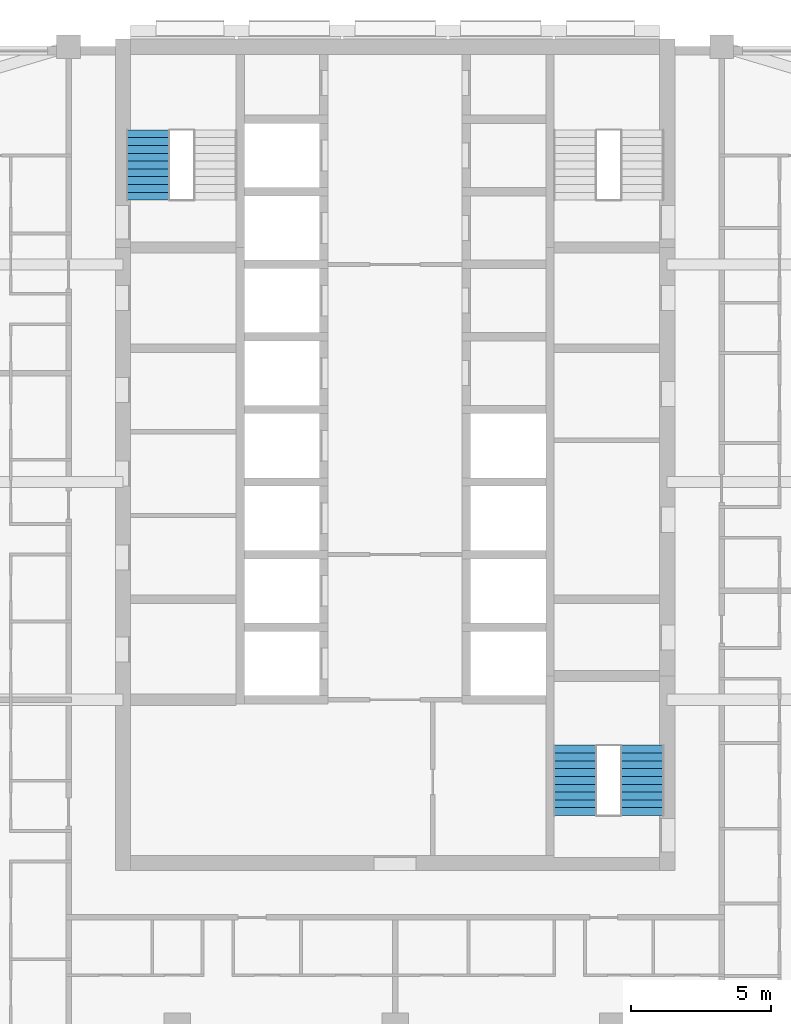
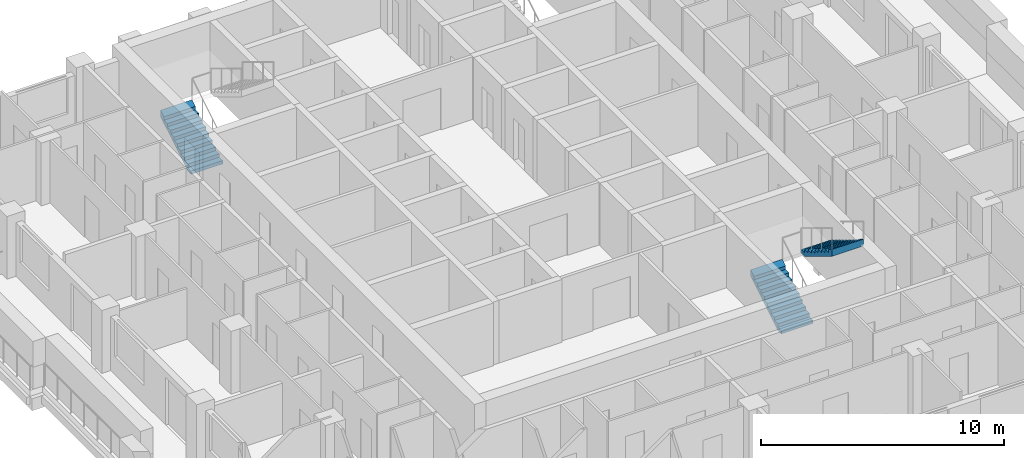
# One storey, part 10 of 13: 3 stair flights, 2 elements without a shape of their own.
"""IFC4 building model written with IfcOpenShell, lengths in metres."""

from ifc_helpers import new_model, si_unit, direction, frame, origin, place, context, subcontext, project, spatial, triangles, material, type_object, element, aggregate, save


model = new_model("IFC4")

# Units and contexts
model_context = context("Model", 3, precision=1e-05, world=origin(), true_north=direction((0.0, 1.0)))
body_context = subcontext(model_context, "Body", "Model", "MODEL_VIEW")
ifc_project = project(units=[si_unit("LENGTHUNIT", "METRE"), si_unit("AREAUNIT", "SQUARE_METRE"), si_unit("VOLUMEUNIT", "CUBIC_METRE"), si_unit("PLANEANGLEUNIT", "RADIAN"), si_unit("MASSUNIT", "GRAM", prefix="KILO")], contexts=[model_context])

# Site, building, storey
site_placement = place(None, origin())
site = spatial("IfcSite", under=ifc_project, at=site_placement, CompositionType="ELEMENT")
building_placement = place(site_placement, origin())
building = spatial("IfcBuilding", under=site, at=building_placement, Name="Ludao Terraces", CompositionType="ELEMENT")
storey_placement = place(building_placement, frame((0.0, 0.0, 123.699951171875)))
storey = spatial("IfcBuildingStorey", under=building, at=storey_placement, Name="L33", CompositionType="ELEMENT", Elevation=123.699951171875)

# Stair, stair flight
ifc_material = material(Name="Concrete C40", Category="concrete")
stair_type = type_object("IfcStairType", Name="INT Stair", PredefinedType="HALF_TURN_STAIR", material=ifc_material)
stair_1_placement = place(storey_placement, origin())
stair_1 = element("IfcStair", 1, at=stair_1_placement, inside=storey, type_object=stair_type, Name="EXIT STAIR 1", PredefinedType="HALF_TURN_STAIR")
stair_flight_type = type_object("IfcStairFlightType", Name="INT Stair flight", PredefinedType="STRAIGHT", material=ifc_material)
stair_flight_1_placement = place(storey_placement, frame((76.14990234375, 79.0, 0.0), z_axis=(0.0, 0.0, 1.0), x_axis=(0.0, 1.0, 0.0)))
stair_flight_1 = element("IfcStairFlight", 2, at=stair_flight_1_placement, type_object=stair_flight_type, Name="ST1 flight 1", NumberOfRisers=10, NumberOfTreads=9, PredefinedType="STRAIGHT", RiserHeight=0.17, TreadLength=0.28, context=body_context, shape_type="Tessellation", body=[
    triangles([(0.0, -0.75, 0.0), (0.0, -0.5, 0.0), (0.0, -0.25, 0.0), (0.0, 0.0, 0.0), (0.0, 0.25, 0.0), (0.0, 0.5, 0.0), (0.0, 0.75, 0.0), (0.0, -0.75, 0.169921875), (0.0, -0.5, 0.169921875), (0.0, -0.25, 0.169921875), (0.0, 0.0, 0.169921875), (0.0, 0.25, 0.169921875), (0.0, 0.5, 0.169921875), (0.0, 0.75, 0.169921875), (0.280029296875, -0.75, 0.169921875), (0.280029296875, -0.5, 0.169921875), (0.280029296875, -0.25, 0.169921875), (0.280029296875, 0.0, 0.169921875), (0.280029296875, 0.25, 0.169921875), (0.280029296875, 0.5, 0.169921875), (0.280029296875, 0.75, 0.169921875), (0.280029296875, -0.75, 0.340087890625), (0.280029296875, -0.5, 0.340087890625), (0.280029296875, -0.25, 0.340087890625), (0.280029296875, 0.0, 0.340087890625), (0.280029296875, 0.25, 0.340087890625), (0.280029296875, 0.5, 0.340087890625), (0.280029296875, 0.75, 0.340087890625), (0.56005859375, -0.75, 0.340087890625), (0.56005859375, -0.5, 0.340087890625), (0.56005859375, -0.25, 0.340087890625), (0.56005859375, 0.0, 0.340087890625), (0.56005859375, 0.25, 0.340087890625), (0.56005859375, 0.5, 0.340087890625), (0.56005859375, 0.75, 0.340087890625), (0.56005859375, -0.75, 0.510009765625), (0.56005859375, -0.5, 0.510009765625), (0.56005859375, -0.25, 0.510009765625), (0.56005859375, 0.0, 0.510009765625), (0.56005859375, 0.25, 0.510009765625), (0.56005859375, 0.5, 0.510009765625), (0.56005859375, 0.75, 0.510009765625), (0.840087890625, -0.75, 0.510009765625), (0.840087890625, -0.5, 0.510009765625), (0.840087890625, -0.25, 0.510009765625), (0.840087890625, 0.0, 0.510009765625), (0.840087890625, 0.25, 0.510009765625), (0.840087890625, 0.5, 0.510009765625), (0.840087890625, 0.75, 0.510009765625), (0.840087890625, -0.75, 0.679931640625), (0.840087890625, -0.5, 0.679931640625), (0.840087890625, -0.25, 0.679931640625), (0.840087890625, 0.0, 0.679931640625), (0.840087890625, 0.25, 0.679931640625), (0.840087890625, 0.5, 0.679931640625), (0.840087890625, 0.75, 0.679931640625), (1.1201171875, -0.75, 0.679931640625), (1.1201171875, -0.5, 0.679931640625), (1.1201171875, -0.25, 0.679931640625), (1.1201171875, 0.0, 0.679931640625), (1.1201171875, 0.25, 0.679931640625), (1.1201171875, 0.5, 0.679931640625), (1.1201171875, 0.75, 0.679931640625), (1.1201171875, -0.75, 0.85009765625), (1.1201171875, -0.5, 0.85009765625), (1.1201171875, -0.25, 0.85009765625), (1.1201171875, 0.0, 0.85009765625), (1.1201171875, 0.25, 0.85009765625), (1.1201171875, 0.5, 0.85009765625), (1.1201171875, 0.75, 0.85009765625), (1.39990234375, -0.75, 0.85009765625), (1.39990234375, -0.5, 0.85009765625), (1.39990234375, -0.25, 0.85009765625), (1.39990234375, 0.0, 0.85009765625), (1.39990234375, 0.25, 0.85009765625), (1.39990234375, 0.5, 0.85009765625), (1.39990234375, 0.75, 0.85009765625), (1.39990234375, -0.75, 1.02001953125), (1.39990234375, -0.5, 1.02001953125), (1.39990234375, -0.25, 1.02001953125), (1.39990234375, 0.0, 1.02001953125), (1.39990234375, 0.25, 1.02001953125), (1.39990234375, 0.5, 1.02001953125), (1.39990234375, 0.75, 1.02001953125), (1.679931640625, -0.75, 1.02001953125), (1.679931640625, -0.5, 1.02001953125), (1.679931640625, -0.25, 1.02001953125), (1.679931640625, 0.0, 1.02001953125), (1.679931640625, 0.25, 1.02001953125), (1.679931640625, 0.5, 1.02001953125), (1.679931640625, 0.75, 1.02001953125), (1.679931640625, -0.75, 1.18994140625), (1.679931640625, -0.5, 1.18994140625), (1.679931640625, -0.25, 1.18994140625), (1.679931640625, 0.0, 1.18994140625), (1.679931640625, 0.25, 1.18994140625), (1.679931640625, 0.5, 1.18994140625), (1.679931640625, 0.75, 1.18994140625), (1.9599609375, -0.75, 1.18994140625), (1.9599609375, -0.5, 1.18994140625), (1.9599609375, -0.25, 1.18994140625), (1.9599609375, 0.0, 1.18994140625), (1.9599609375, 0.25, 1.18994140625), (1.9599609375, 0.5, 1.18994140625), (1.9599609375, 0.75, 1.18994140625), (1.9599609375, -0.75, 1.360107421875), (1.9599609375, -0.5, 1.360107421875), (1.9599609375, -0.25, 1.360107421875), (1.9599609375, 0.0, 1.360107421875), (1.9599609375, 0.25, 1.360107421875), (1.9599609375, 0.5, 1.360107421875), (1.9599609375, 0.75, 1.360107421875), (2.239990234375, -0.75, 1.360107421875), (2.239990234375, -0.5, 1.360107421875), (2.239990234375, -0.25, 1.360107421875), (2.239990234375, 0.0, 1.360107421875), (2.239990234375, 0.25, 1.360107421875), (2.239990234375, 0.5, 1.360107421875), (2.239990234375, 0.75, 1.360107421875), (2.239990234375, -0.75, 1.530029296875), (2.239990234375, -0.5, 1.530029296875), (2.239990234375, -0.25, 1.530029296875), (2.239990234375, 0.0, 1.530029296875), (2.239990234375, 0.25, 1.530029296875), (2.239990234375, 0.5, 1.530029296875), (2.239990234375, 0.75, 1.530029296875), (2.52001953125, -0.75, 1.699951171875), (2.52001953125, -0.5, 1.699951171875), (2.52001953125, -0.25, 1.699951171875), (2.52001953125, 0.0, 1.699951171875), (2.52001953125, 0.25, 1.699951171875), (2.52001953125, 0.5, 1.699951171875), (2.52001953125, 0.75, 1.699951171875), (2.52001953125, -0.75, 1.354736328125), (2.52001953125, -0.5, 1.354736328125), (2.52001953125, -0.25, 1.354736328125), (2.52001953125, 0.0, 1.354736328125), (2.52001953125, 0.25, 1.354736328125), (2.52001953125, 0.5, 1.354736328125), (2.52001953125, 0.75, 1.354736328125), (0.288818359375, -0.75, 0.0), (0.288818359375, -0.5, 0.0), (0.288818359375, -0.25, 0.0), (0.288818359375, 0.0, 0.0), (0.288818359375, 0.25, 0.0), (0.288818359375, 0.5, 0.0), (0.288818359375, 0.75, 0.0)], [[1, 141, 134], [7, 140, 147], [134, 127, 120], [140, 126, 133], [134, 120, 113], [140, 119, 126], [134, 113, 106], [140, 112, 119], [134, 106, 99], [140, 105, 112], [99, 92, 85], [105, 91, 98], [134, 99, 85], [140, 91, 105], [85, 78, 71], [91, 77, 84], [134, 85, 71], [140, 77, 91], [71, 64, 57], [77, 63, 70], [134, 71, 57], [140, 63, 77], [57, 50, 43], [63, 49, 56], [134, 57, 43], [140, 49, 63], [43, 36, 29], [49, 35, 42], [134, 43, 29], [140, 35, 49], [29, 22, 15], [35, 21, 28], [134, 29, 15], [140, 21, 35], [1, 134, 15], [7, 21, 140], [15, 8, 1], [21, 7, 14], [1, 9, 2], [1, 8, 9], [2, 10, 3], [2, 9, 10], [3, 11, 4], [3, 10, 11], [4, 12, 5], [4, 11, 12], [5, 13, 6], [5, 12, 13], [6, 14, 7], [6, 13, 14], [8, 16, 9], [8, 15, 16], [9, 17, 10], [9, 16, 17], [10, 18, 11], [10, 17, 18], [11, 19, 12], [11, 18, 19], [12, 20, 13], [12, 19, 20], [13, 21, 14], [13, 20, 21], [15, 23, 16], [15, 22, 23], [16, 24, 17], [16, 23, 24], [17, 25, 18], [17, 24, 25], [18, 26, 19], [18, 25, 26], [19, 27, 20], [19, 26, 27], [20, 28, 21], [20, 27, 28], [22, 30, 23], [22, 29, 30], [23, 31, 24], [23, 30, 31], [24, 32, 25], [24, 31, 32], [25, 33, 26], [25, 32, 33], [26, 34, 27], [26, 33, 34], [27, 35, 28], [27, 34, 35], [29, 37, 30], [29, 36, 37], [30, 38, 31], [30, 37, 38], [31, 39, 32], [31, 38, 39], [32, 40, 33], [32, 39, 40], [33, 41, 34], [33, 40, 41], [34, 42, 35], [34, 41, 42], [36, 44, 37], [36, 43, 44], [37, 45, 38], [37, 44, 45], [38, 46, 39], [38, 45, 46], [39, 47, 40], [39, 46, 47], [40, 48, 41], [40, 47, 48], [41, 49, 42], [41, 48, 49], [43, 51, 44], [43, 50, 51], [44, 52, 45], [44, 51, 52], [45, 53, 46], [45, 52, 53], [46, 54, 47], [46, 53, 54], [47, 55, 48], [47, 54, 55], [48, 56, 49], [48, 55, 56], [50, 58, 51], [50, 57, 58], [51, 59, 52], [51, 58, 59], [52, 60, 53], [52, 59, 60], [53, 61, 54], [53, 60, 61], [54, 62, 55], [54, 61, 62], [55, 63, 56], [55, 62, 63], [57, 65, 58], [57, 64, 65], [58, 66, 59], [58, 65, 66], [59, 67, 60], [59, 66, 67], [60, 68, 61], [60, 67, 68], [61, 69, 62], [61, 68, 69], [62, 70, 63], [62, 69, 70], [64, 72, 65], [64, 71, 72], [65, 73, 66], [65, 72, 73], [66, 74, 67], [66, 73, 74], [67, 75, 68], [67, 74, 75], [68, 76, 69], [68, 75, 76], [69, 77, 70], [69, 76, 77], [71, 79, 72], [71, 78, 79], [72, 80, 73], [72, 79, 80], [73, 81, 74], [73, 80, 81], [74, 82, 75], [74, 81, 82], [75, 83, 76], [75, 82, 83], [76, 84, 77], [76, 83, 84], [78, 86, 79], [78, 85, 86], [79, 87, 80], [79, 86, 87], [80, 88, 81], [80, 87, 88], [81, 89, 82], [81, 88, 89], [82, 90, 83], [82, 89, 90], [83, 91, 84], [83, 90, 91], [85, 93, 86], [85, 92, 93], [86, 94, 87], [86, 93, 94], [87, 95, 88], [87, 94, 95], [88, 96, 89], [88, 95, 96], [89, 97, 90], [89, 96, 97], [90, 98, 91], [90, 97, 98], [92, 100, 93], [92, 99, 100], [93, 101, 94], [93, 100, 101], [94, 102, 95], [94, 101, 102], [95, 103, 96], [95, 102, 103], [96, 104, 97], [96, 103, 104], [97, 105, 98], [97, 104, 105], [99, 107, 100], [99, 106, 107], [100, 108, 101], [100, 107, 108], [101, 109, 102], [101, 108, 109], [102, 110, 103], [102, 109, 110], [103, 111, 104], [103, 110, 111], [104, 112, 105], [104, 111, 112], [106, 114, 107], [106, 113, 114], [107, 115, 108], [107, 114, 115], [108, 116, 109], [108, 115, 116], [109, 117, 110], [109, 116, 117], [110, 118, 111], [110, 117, 118], [111, 119, 112], [111, 118, 119], [113, 121, 114], [113, 120, 121], [114, 122, 115], [114, 121, 122], [115, 123, 116], [115, 122, 123], [116, 124, 117], [116, 123, 124], [117, 125, 118], [117, 124, 125], [118, 126, 119], [118, 125, 126], [120, 128, 121], [120, 127, 128], [121, 129, 122], [121, 128, 129], [122, 130, 123], [122, 129, 130], [123, 131, 124], [123, 130, 131], [124, 132, 125], [124, 131, 132], [125, 133, 126], [125, 132, 133], [127, 135, 128], [127, 134, 135], [128, 136, 129], [128, 135, 136], [129, 137, 130], [129, 136, 137], [130, 138, 131], [130, 137, 138], [131, 139, 132], [131, 138, 139], [132, 140, 133], [132, 139, 140], [134, 142, 135], [134, 141, 142], [135, 143, 136], [135, 142, 143], [136, 144, 137], [136, 143, 144], [137, 145, 138], [137, 144, 145], [138, 146, 139], [138, 145, 146], [139, 147, 140], [139, 146, 147], [141, 2, 142], [141, 1, 2], [142, 3, 143], [142, 2, 3], [143, 4, 144], [143, 3, 4], [144, 5, 145], [144, 4, 5], [145, 6, 146], [145, 5, 6], [146, 7, 147], [146, 6, 7]], closed=True),
])
aggregate(stair_1, [stair_flight_1])

# Stair, stair flights
stair_2_placement = place(storey_placement, origin())
stair_2 = element("IfcStair", 3, at=stair_2_placement, inside=storey, type_object=stair_type, Name="EXIT STAIR 3", PredefinedType="HALF_TURN_STAIR")
stair_flight_2_placement = place(storey_placement, frame((91.449951171875, 56.949951171875, 0.0), z_axis=(0.0, 0.0, 1.0), x_axis=(0.0, 1.0, 0.0)))
stair_flight_2 = element("IfcStairFlight", 4, at=stair_flight_2_placement, type_object=stair_flight_type, Name="ST3 flight 1", NumberOfRisers=10, NumberOfTreads=9, PredefinedType="STRAIGHT", RiserHeight=0.17, TreadLength=0.28, context=body_context, shape_type="Tessellation", body=[
    triangles([(0.0, -0.75, 0.0), (0.0, -0.5, 0.0), (0.0, -0.25, 0.0), (0.0, 0.0, 0.0), (0.0, 0.25, 0.0), (0.0, 0.5, 0.0), (0.0, 0.75, 0.0), (0.0, -0.75, 0.169921875), (0.0, -0.5, 0.169921875), (0.0, -0.25, 0.169921875), (0.0, 0.0, 0.169921875), (0.0, 0.25, 0.169921875), (0.0, 0.5, 0.169921875), (0.0, 0.75, 0.169921875), (0.280029296875, -0.75, 0.169921875), (0.280029296875, -0.5, 0.169921875), (0.280029296875, -0.25, 0.169921875), (0.280029296875, 0.0, 0.169921875), (0.280029296875, 0.25, 0.169921875), (0.280029296875, 0.5, 0.169921875), (0.280029296875, 0.75, 0.169921875), (0.280029296875, -0.75, 0.340087890625), (0.280029296875, -0.5, 0.340087890625), (0.280029296875, -0.25, 0.340087890625), (0.280029296875, 0.0, 0.340087890625), (0.280029296875, 0.25, 0.340087890625), (0.280029296875, 0.5, 0.340087890625), (0.280029296875, 0.75, 0.340087890625), (0.56005859375, -0.75, 0.340087890625), (0.56005859375, -0.5, 0.340087890625), (0.56005859375, -0.25, 0.340087890625), (0.56005859375, 0.0, 0.340087890625), (0.56005859375, 0.25, 0.340087890625), (0.56005859375, 0.5, 0.340087890625), (0.56005859375, 0.75, 0.340087890625), (0.56005859375, -0.75, 0.510009765625), (0.56005859375, -0.5, 0.510009765625), (0.56005859375, -0.25, 0.510009765625), (0.56005859375, 0.0, 0.510009765625), (0.56005859375, 0.25, 0.510009765625), (0.56005859375, 0.5, 0.510009765625), (0.56005859375, 0.75, 0.510009765625), (0.840087890625, -0.75, 0.510009765625), (0.840087890625, -0.5, 0.510009765625), (0.840087890625, -0.25, 0.510009765625), (0.840087890625, 0.0, 0.510009765625), (0.840087890625, 0.25, 0.510009765625), (0.840087890625, 0.5, 0.510009765625), (0.840087890625, 0.75, 0.510009765625), (0.840087890625, -0.75, 0.679931640625), (0.840087890625, -0.5, 0.679931640625), (0.840087890625, -0.25, 0.679931640625), (0.840087890625, 0.0, 0.679931640625), (0.840087890625, 0.25, 0.679931640625), (0.840087890625, 0.5, 0.679931640625), (0.840087890625, 0.75, 0.679931640625), (1.1201171875, -0.75, 0.679931640625), (1.1201171875, -0.5, 0.679931640625), (1.1201171875, -0.25, 0.679931640625), (1.1201171875, 0.0, 0.679931640625), (1.1201171875, 0.25, 0.679931640625), (1.1201171875, 0.5, 0.679931640625), (1.1201171875, 0.75, 0.679931640625), (1.1201171875, -0.75, 0.85009765625), (1.1201171875, -0.5, 0.85009765625), (1.1201171875, -0.25, 0.85009765625), (1.1201171875, 0.0, 0.85009765625), (1.1201171875, 0.25, 0.85009765625), (1.1201171875, 0.5, 0.85009765625), (1.1201171875, 0.75, 0.85009765625), (1.39990234375, -0.75, 0.85009765625), (1.39990234375, -0.5, 0.85009765625), (1.39990234375, -0.25, 0.85009765625), (1.39990234375, 0.0, 0.85009765625), (1.39990234375, 0.25, 0.85009765625), (1.39990234375, 0.5, 0.85009765625), (1.39990234375, 0.75, 0.85009765625), (1.39990234375, -0.75, 1.02001953125), (1.39990234375, -0.5, 1.02001953125), (1.39990234375, -0.25, 1.02001953125), (1.39990234375, 0.0, 1.02001953125), (1.39990234375, 0.25, 1.02001953125), (1.39990234375, 0.5, 1.02001953125), (1.39990234375, 0.75, 1.02001953125), (1.679931640625, -0.75, 1.02001953125), (1.679931640625, -0.5, 1.02001953125), (1.679931640625, -0.25, 1.02001953125), (1.679931640625, 0.0, 1.02001953125), (1.679931640625, 0.25, 1.02001953125), (1.679931640625, 0.5, 1.02001953125), (1.679931640625, 0.75, 1.02001953125), (1.679931640625, -0.75, 1.18994140625), (1.679931640625, -0.5, 1.18994140625), (1.679931640625, -0.25, 1.18994140625), (1.679931640625, 0.0, 1.18994140625), (1.679931640625, 0.25, 1.18994140625), (1.679931640625, 0.5, 1.18994140625), (1.679931640625, 0.75, 1.18994140625), (1.9599609375, -0.75, 1.18994140625), (1.9599609375, -0.5, 1.18994140625), (1.9599609375, -0.25, 1.18994140625), (1.9599609375, 0.0, 1.18994140625), (1.9599609375, 0.25, 1.18994140625), (1.9599609375, 0.5, 1.18994140625), (1.9599609375, 0.75, 1.18994140625), (1.9599609375, -0.75, 1.360107421875), (1.9599609375, -0.5, 1.360107421875), (1.9599609375, -0.25, 1.360107421875), (1.9599609375, 0.0, 1.360107421875), (1.9599609375, 0.25, 1.360107421875), (1.9599609375, 0.5, 1.360107421875), (1.9599609375, 0.75, 1.360107421875), (2.239990234375, -0.75, 1.360107421875), (2.239990234375, -0.5, 1.360107421875), (2.239990234375, -0.25, 1.360107421875), (2.239990234375, 0.0, 1.360107421875), (2.239990234375, 0.25, 1.360107421875), (2.239990234375, 0.5, 1.360107421875), (2.239990234375, 0.75, 1.360107421875), (2.239990234375, -0.75, 1.530029296875), (2.239990234375, -0.5, 1.530029296875), (2.239990234375, -0.25, 1.530029296875), (2.239990234375, 0.0, 1.530029296875), (2.239990234375, 0.25, 1.530029296875), (2.239990234375, 0.5, 1.530029296875), (2.239990234375, 0.75, 1.530029296875), (2.52001953125, -0.75, 1.699951171875), (2.52001953125, -0.5, 1.699951171875), (2.52001953125, -0.25, 1.699951171875), (2.52001953125, 0.0, 1.699951171875), (2.52001953125, 0.25, 1.699951171875), (2.52001953125, 0.5, 1.699951171875), (2.52001953125, 0.75, 1.699951171875), (2.52001953125, -0.75, 1.354736328125), (2.52001953125, -0.5, 1.354736328125), (2.52001953125, -0.25, 1.354736328125), (2.52001953125, 0.0, 1.354736328125), (2.52001953125, 0.25, 1.354736328125), (2.52001953125, 0.5, 1.354736328125), (2.52001953125, 0.75, 1.354736328125), (0.288818359375, -0.75, 0.0), (0.288818359375, -0.5, 0.0), (0.288818359375, -0.25, 0.0), (0.288818359375, 0.0, 0.0), (0.288818359375, 0.25, 0.0), (0.288818359375, 0.5, 0.0), (0.288818359375, 0.75, 0.0)], [[1, 141, 134], [7, 140, 147], [134, 127, 120], [140, 126, 133], [134, 120, 113], [140, 119, 126], [134, 113, 106], [140, 112, 119], [134, 106, 99], [140, 105, 112], [99, 92, 85], [105, 91, 98], [134, 99, 85], [140, 91, 105], [85, 78, 71], [91, 77, 84], [134, 85, 71], [140, 77, 91], [71, 64, 57], [77, 63, 70], [134, 71, 57], [140, 63, 77], [57, 50, 43], [63, 49, 56], [134, 57, 43], [140, 49, 63], [43, 36, 29], [49, 35, 42], [134, 43, 29], [140, 35, 49], [29, 22, 15], [35, 21, 28], [134, 29, 15], [140, 21, 35], [1, 134, 15], [7, 21, 140], [15, 8, 1], [21, 7, 14], [1, 9, 2], [1, 8, 9], [2, 10, 3], [2, 9, 10], [3, 11, 4], [3, 10, 11], [4, 12, 5], [4, 11, 12], [5, 13, 6], [5, 12, 13], [6, 14, 7], [6, 13, 14], [8, 16, 9], [8, 15, 16], [9, 17, 10], [9, 16, 17], [10, 18, 11], [10, 17, 18], [11, 19, 12], [11, 18, 19], [12, 20, 13], [12, 19, 20], [13, 21, 14], [13, 20, 21], [15, 23, 16], [15, 22, 23], [16, 24, 17], [16, 23, 24], [17, 25, 18], [17, 24, 25], [18, 26, 19], [18, 25, 26], [19, 27, 20], [19, 26, 27], [20, 28, 21], [20, 27, 28], [22, 30, 23], [22, 29, 30], [23, 31, 24], [23, 30, 31], [24, 32, 25], [24, 31, 32], [25, 33, 26], [25, 32, 33], [26, 34, 27], [26, 33, 34], [27, 35, 28], [27, 34, 35], [29, 37, 30], [29, 36, 37], [30, 38, 31], [30, 37, 38], [31, 39, 32], [31, 38, 39], [32, 40, 33], [32, 39, 40], [33, 41, 34], [33, 40, 41], [34, 42, 35], [34, 41, 42], [36, 44, 37], [36, 43, 44], [37, 45, 38], [37, 44, 45], [38, 46, 39], [38, 45, 46], [39, 47, 40], [39, 46, 47], [40, 48, 41], [40, 47, 48], [41, 49, 42], [41, 48, 49], [43, 51, 44], [43, 50, 51], [44, 52, 45], [44, 51, 52], [45, 53, 46], [45, 52, 53], [46, 54, 47], [46, 53, 54], [47, 55, 48], [47, 54, 55], [48, 56, 49], [48, 55, 56], [50, 58, 51], [50, 57, 58], [51, 59, 52], [51, 58, 59], [52, 60, 53], [52, 59, 60], [53, 61, 54], [53, 60, 61], [54, 62, 55], [54, 61, 62], [55, 63, 56], [55, 62, 63], [57, 65, 58], [57, 64, 65], [58, 66, 59], [58, 65, 66], [59, 67, 60], [59, 66, 67], [60, 68, 61], [60, 67, 68], [61, 69, 62], [61, 68, 69], [62, 70, 63], [62, 69, 70], [64, 72, 65], [64, 71, 72], [65, 73, 66], [65, 72, 73], [66, 74, 67], [66, 73, 74], [67, 75, 68], [67, 74, 75], [68, 76, 69], [68, 75, 76], [69, 77, 70], [69, 76, 77], [71, 79, 72], [71, 78, 79], [72, 80, 73], [72, 79, 80], [73, 81, 74], [73, 80, 81], [74, 82, 75], [74, 81, 82], [75, 83, 76], [75, 82, 83], [76, 84, 77], [76, 83, 84], [78, 86, 79], [78, 85, 86], [79, 87, 80], [79, 86, 87], [80, 88, 81], [80, 87, 88], [81, 89, 82], [81, 88, 89], [82, 90, 83], [82, 89, 90], [83, 91, 84], [83, 90, 91], [85, 93, 86], [85, 92, 93], [86, 94, 87], [86, 93, 94], [87, 95, 88], [87, 94, 95], [88, 96, 89], [88, 95, 96], [89, 97, 90], [89, 96, 97], [90, 98, 91], [90, 97, 98], [92, 100, 93], [92, 99, 100], [93, 101, 94], [93, 100, 101], [94, 102, 95], [94, 101, 102], [95, 103, 96], [95, 102, 103], [96, 104, 97], [96, 103, 104], [97, 105, 98], [97, 104, 105], [99, 107, 100], [99, 106, 107], [100, 108, 101], [100, 107, 108], [101, 109, 102], [101, 108, 109], [102, 110, 103], [102, 109, 110], [103, 111, 104], [103, 110, 111], [104, 112, 105], [104, 111, 112], [106, 114, 107], [106, 113, 114], [107, 115, 108], [107, 114, 115], [108, 116, 109], [108, 115, 116], [109, 117, 110], [109, 116, 117], [110, 118, 111], [110, 117, 118], [111, 119, 112], [111, 118, 119], [113, 121, 114], [113, 120, 121], [114, 122, 115], [114, 121, 122], [115, 123, 116], [115, 122, 123], [116, 124, 117], [116, 123, 124], [117, 125, 118], [117, 124, 125], [118, 126, 119], [118, 125, 126], [120, 128, 121], [120, 127, 128], [121, 129, 122], [121, 128, 129], [122, 130, 123], [122, 129, 130], [123, 131, 124], [123, 130, 131], [124, 132, 125], [124, 131, 132], [125, 133, 126], [125, 132, 133], [127, 135, 128], [127, 134, 135], [128, 136, 129], [128, 135, 136], [129, 137, 130], [129, 136, 137], [130, 138, 131], [130, 137, 138], [131, 139, 132], [131, 138, 139], [132, 140, 133], [132, 139, 140], [134, 142, 135], [134, 141, 142], [135, 143, 136], [135, 142, 143], [136, 144, 137], [136, 143, 144], [137, 145, 138], [137, 144, 145], [138, 146, 139], [138, 145, 146], [139, 147, 140], [139, 146, 147], [141, 2, 142], [141, 1, 2], [142, 3, 143], [142, 2, 3], [143, 4, 144], [143, 3, 4], [144, 5, 145], [144, 4, 5], [145, 6, 146], [145, 5, 6], [146, 7, 147], [146, 6, 7]], closed=True),
])
stair_flight_3_placement = place(storey_placement, frame((93.85009765625, 59.469970703125, 1.699951171875), z_axis=(0.0, 0.0, 1.0), x_axis=(0.0, -1.0, 0.0)))
stair_flight_3 = element("IfcStairFlight", 5, at=stair_flight_3_placement, type_object=stair_flight_type, Name="ST3 flight 2", NumberOfRisers=10, NumberOfTreads=9, PredefinedType="STRAIGHT", RiserHeight=0.17, TreadLength=0.28, context=body_context, shape_type="Tessellation", body=[
    triangles([(0.0, -0.75, 0.0), (0.0, -0.5, 0.0), (0.0, -0.25, 0.0), (0.0, 0.0, 0.0), (0.0, 0.25, 0.0), (0.0, 0.5, 0.0), (0.0, 0.75, 0.0), (0.0, -0.75, 0.169921875), (0.0, -0.5, 0.169921875), (0.0, -0.25, 0.169921875), (0.0, 0.0, 0.169921875), (0.0, 0.25, 0.169921875), (0.0, 0.5, 0.169921875), (0.0, 0.75, 0.169921875), (0.280029296875, -0.75, 0.169921875), (0.280029296875, -0.5, 0.169921875), (0.280029296875, -0.25, 0.169921875), (0.280029296875, 0.0, 0.169921875), (0.280029296875, 0.25, 0.169921875), (0.280029296875, 0.5, 0.169921875), (0.280029296875, 0.75, 0.169921875), (0.280029296875, -0.75, 0.340087890625), (0.280029296875, -0.5, 0.340087890625), (0.280029296875, -0.25, 0.340087890625), (0.280029296875, 0.0, 0.340087890625), (0.280029296875, 0.25, 0.340087890625), (0.280029296875, 0.5, 0.340087890625), (0.280029296875, 0.75, 0.340087890625), (0.56005859375, -0.75, 0.340087890625), (0.56005859375, -0.5, 0.340087890625), (0.56005859375, -0.25, 0.340087890625), (0.56005859375, 0.0, 0.340087890625), (0.56005859375, 0.25, 0.340087890625), (0.56005859375, 0.5, 0.340087890625), (0.56005859375, 0.75, 0.340087890625), (0.56005859375, -0.75, 0.510009765625), (0.56005859375, -0.5, 0.510009765625), (0.56005859375, -0.25, 0.510009765625), (0.56005859375, 0.0, 0.510009765625), (0.56005859375, 0.25, 0.510009765625), (0.56005859375, 0.5, 0.510009765625), (0.56005859375, 0.75, 0.510009765625), (0.840087890625, -0.75, 0.510009765625), (0.840087890625, -0.5, 0.510009765625), (0.840087890625, -0.25, 0.510009765625), (0.840087890625, 0.0, 0.510009765625), (0.840087890625, 0.25, 0.510009765625), (0.840087890625, 0.5, 0.510009765625), (0.840087890625, 0.75, 0.510009765625), (0.840087890625, -0.75, 0.679931640625), (0.840087890625, -0.5, 0.679931640625), (0.840087890625, -0.25, 0.679931640625), (0.840087890625, 0.0, 0.679931640625), (0.840087890625, 0.25, 0.679931640625), (0.840087890625, 0.5, 0.679931640625), (0.840087890625, 0.75, 0.679931640625), (1.1201171875, -0.75, 0.679931640625), (1.1201171875, -0.5, 0.679931640625), (1.1201171875, -0.25, 0.679931640625), (1.1201171875, 0.0, 0.679931640625), (1.1201171875, 0.25, 0.679931640625), (1.1201171875, 0.5, 0.679931640625), (1.1201171875, 0.75, 0.679931640625), (1.1201171875, -0.75, 0.85009765625), (1.1201171875, -0.5, 0.85009765625), (1.1201171875, -0.25, 0.85009765625), (1.1201171875, 0.0, 0.85009765625), (1.1201171875, 0.25, 0.85009765625), (1.1201171875, 0.5, 0.85009765625), (1.1201171875, 0.75, 0.85009765625), (1.39990234375, -0.75, 0.85009765625), (1.39990234375, -0.5, 0.85009765625), (1.39990234375, -0.25, 0.85009765625), (1.39990234375, 0.0, 0.85009765625), (1.39990234375, 0.25, 0.85009765625), (1.39990234375, 0.5, 0.85009765625), (1.39990234375, 0.75, 0.85009765625), (1.39990234375, -0.75, 1.02001953125), (1.39990234375, -0.5, 1.02001953125), (1.39990234375, -0.25, 1.02001953125), (1.39990234375, 0.0, 1.02001953125), (1.39990234375, 0.25, 1.02001953125), (1.39990234375, 0.5, 1.02001953125), (1.39990234375, 0.75, 1.02001953125), (1.679931640625, -0.75, 1.02001953125), (1.679931640625, -0.5, 1.02001953125), (1.679931640625, -0.25, 1.02001953125), (1.679931640625, 0.0, 1.02001953125), (1.679931640625, 0.25, 1.02001953125), (1.679931640625, 0.5, 1.02001953125), (1.679931640625, 0.75, 1.02001953125), (1.679931640625, -0.75, 1.18994140625), (1.679931640625, -0.5, 1.18994140625), (1.679931640625, -0.25, 1.18994140625), (1.679931640625, 0.0, 1.18994140625), (1.679931640625, 0.25, 1.18994140625), (1.679931640625, 0.5, 1.18994140625), (1.679931640625, 0.75, 1.18994140625), (1.9599609375, -0.75, 1.18994140625), (1.9599609375, -0.5, 1.18994140625), (1.9599609375, -0.25, 1.18994140625), (1.9599609375, 0.0, 1.18994140625), (1.9599609375, 0.25, 1.18994140625), (1.9599609375, 0.5, 1.18994140625), (1.9599609375, 0.75, 1.18994140625), (1.9599609375, -0.75, 1.360107421875), (1.9599609375, -0.5, 1.360107421875), (1.9599609375, -0.25, 1.360107421875), (1.9599609375, 0.0, 1.360107421875), (1.9599609375, 0.25, 1.360107421875), (1.9599609375, 0.5, 1.360107421875), (1.9599609375, 0.75, 1.360107421875), (2.239990234375, -0.75, 1.360107421875), (2.239990234375, -0.5, 1.360107421875), (2.239990234375, -0.25, 1.360107421875), (2.239990234375, 0.0, 1.360107421875), (2.239990234375, 0.25, 1.360107421875), (2.239990234375, 0.5, 1.360107421875), (2.239990234375, 0.75, 1.360107421875), (2.239990234375, -0.75, 1.530029296875), (2.239990234375, -0.5, 1.530029296875), (2.239990234375, -0.25, 1.530029296875), (2.239990234375, 0.0, 1.530029296875), (2.239990234375, 0.25, 1.530029296875), (2.239990234375, 0.5, 1.530029296875), (2.239990234375, 0.75, 1.530029296875), (2.52001953125, -0.75, 1.699951171875), (2.52001953125, -0.5, 1.699951171875), (2.52001953125, -0.25, 1.699951171875), (2.52001953125, 0.0, 1.699951171875), (2.52001953125, 0.25, 1.699951171875), (2.52001953125, 0.5, 1.699951171875), (2.52001953125, 0.75, 1.699951171875), (2.52001953125, -0.75, 1.354736328125), (2.52001953125, -0.5, 1.354736328125), (2.52001953125, -0.25, 1.354736328125), (2.52001953125, 0.0, 1.354736328125), (2.52001953125, 0.25, 1.354736328125), (2.52001953125, 0.5, 1.354736328125), (2.52001953125, 0.75, 1.354736328125), (0.288818359375, -0.75, 0.0), (0.288818359375, -0.5, 0.0), (0.288818359375, -0.25, 0.0), (0.288818359375, 0.0, 0.0), (0.288818359375, 0.25, 0.0), (0.288818359375, 0.5, 0.0), (0.288818359375, 0.75, 0.0)], [[1, 141, 134], [7, 140, 147], [134, 127, 120], [140, 126, 133], [134, 120, 113], [140, 119, 126], [134, 113, 106], [140, 112, 119], [134, 106, 99], [140, 105, 112], [99, 92, 85], [105, 91, 98], [134, 99, 85], [140, 91, 105], [85, 78, 71], [91, 77, 84], [134, 85, 71], [140, 77, 91], [71, 64, 57], [77, 63, 70], [134, 71, 57], [140, 63, 77], [57, 50, 43], [63, 49, 56], [134, 57, 43], [140, 49, 63], [43, 36, 29], [49, 35, 42], [134, 43, 29], [140, 35, 49], [29, 22, 15], [35, 21, 28], [134, 29, 15], [140, 21, 35], [1, 134, 15], [7, 21, 140], [15, 8, 1], [21, 7, 14], [1, 9, 2], [1, 8, 9], [2, 10, 3], [2, 9, 10], [3, 11, 4], [3, 10, 11], [4, 12, 5], [4, 11, 12], [5, 13, 6], [5, 12, 13], [6, 14, 7], [6, 13, 14], [8, 16, 9], [8, 15, 16], [9, 17, 10], [9, 16, 17], [10, 18, 11], [10, 17, 18], [11, 19, 12], [11, 18, 19], [12, 20, 13], [12, 19, 20], [13, 21, 14], [13, 20, 21], [15, 23, 16], [15, 22, 23], [16, 24, 17], [16, 23, 24], [17, 25, 18], [17, 24, 25], [18, 26, 19], [18, 25, 26], [19, 27, 20], [19, 26, 27], [20, 28, 21], [20, 27, 28], [22, 30, 23], [22, 29, 30], [23, 31, 24], [23, 30, 31], [24, 32, 25], [24, 31, 32], [25, 33, 26], [25, 32, 33], [26, 34, 27], [26, 33, 34], [27, 35, 28], [27, 34, 35], [29, 37, 30], [29, 36, 37], [30, 38, 31], [30, 37, 38], [31, 39, 32], [31, 38, 39], [32, 40, 33], [32, 39, 40], [33, 41, 34], [33, 40, 41], [34, 42, 35], [34, 41, 42], [36, 44, 37], [36, 43, 44], [37, 45, 38], [37, 44, 45], [38, 46, 39], [38, 45, 46], [39, 47, 40], [39, 46, 47], [40, 48, 41], [40, 47, 48], [41, 49, 42], [41, 48, 49], [43, 51, 44], [43, 50, 51], [44, 52, 45], [44, 51, 52], [45, 53, 46], [45, 52, 53], [46, 54, 47], [46, 53, 54], [47, 55, 48], [47, 54, 55], [48, 56, 49], [48, 55, 56], [50, 58, 51], [50, 57, 58], [51, 59, 52], [51, 58, 59], [52, 60, 53], [52, 59, 60], [53, 61, 54], [53, 60, 61], [54, 62, 55], [54, 61, 62], [55, 63, 56], [55, 62, 63], [57, 65, 58], [57, 64, 65], [58, 66, 59], [58, 65, 66], [59, 67, 60], [59, 66, 67], [60, 68, 61], [60, 67, 68], [61, 69, 62], [61, 68, 69], [62, 70, 63], [62, 69, 70], [64, 72, 65], [64, 71, 72], [65, 73, 66], [65, 72, 73], [66, 74, 67], [66, 73, 74], [67, 75, 68], [67, 74, 75], [68, 76, 69], [68, 75, 76], [69, 77, 70], [69, 76, 77], [71, 79, 72], [71, 78, 79], [72, 80, 73], [72, 79, 80], [73, 81, 74], [73, 80, 81], [74, 82, 75], [74, 81, 82], [75, 83, 76], [75, 82, 83], [76, 84, 77], [76, 83, 84], [78, 86, 79], [78, 85, 86], [79, 87, 80], [79, 86, 87], [80, 88, 81], [80, 87, 88], [81, 89, 82], [81, 88, 89], [82, 90, 83], [82, 89, 90], [83, 91, 84], [83, 90, 91], [85, 93, 86], [85, 92, 93], [86, 94, 87], [86, 93, 94], [87, 95, 88], [87, 94, 95], [88, 96, 89], [88, 95, 96], [89, 97, 90], [89, 96, 97], [90, 98, 91], [90, 97, 98], [92, 100, 93], [92, 99, 100], [93, 101, 94], [93, 100, 101], [94, 102, 95], [94, 101, 102], [95, 103, 96], [95, 102, 103], [96, 104, 97], [96, 103, 104], [97, 105, 98], [97, 104, 105], [99, 107, 100], [99, 106, 107], [100, 108, 101], [100, 107, 108], [101, 109, 102], [101, 108, 109], [102, 110, 103], [102, 109, 110], [103, 111, 104], [103, 110, 111], [104, 112, 105], [104, 111, 112], [106, 114, 107], [106, 113, 114], [107, 115, 108], [107, 114, 115], [108, 116, 109], [108, 115, 116], [109, 117, 110], [109, 116, 117], [110, 118, 111], [110, 117, 118], [111, 119, 112], [111, 118, 119], [113, 121, 114], [113, 120, 121], [114, 122, 115], [114, 121, 122], [115, 123, 116], [115, 122, 123], [116, 124, 117], [116, 123, 124], [117, 125, 118], [117, 124, 125], [118, 126, 119], [118, 125, 126], [120, 128, 121], [120, 127, 128], [121, 129, 122], [121, 128, 129], [122, 130, 123], [122, 129, 130], [123, 131, 124], [123, 130, 131], [124, 132, 125], [124, 131, 132], [125, 133, 126], [125, 132, 133], [127, 135, 128], [127, 134, 135], [128, 136, 129], [128, 135, 136], [129, 137, 130], [129, 136, 137], [130, 138, 131], [130, 137, 138], [131, 139, 132], [131, 138, 139], [132, 140, 133], [132, 139, 140], [134, 142, 135], [134, 141, 142], [135, 143, 136], [135, 142, 143], [136, 144, 137], [136, 143, 144], [137, 145, 138], [137, 144, 145], [138, 146, 139], [138, 145, 146], [139, 147, 140], [139, 146, 147], [141, 2, 142], [141, 1, 2], [142, 3, 143], [142, 2, 3], [143, 4, 144], [143, 3, 4], [144, 5, 145], [144, 4, 5], [145, 6, 146], [145, 5, 6], [146, 7, 147], [146, 6, 7]], closed=True),
])
aggregate(stair_2, [stair_flight_2, stair_flight_3])

save(model, "model.ifc")
